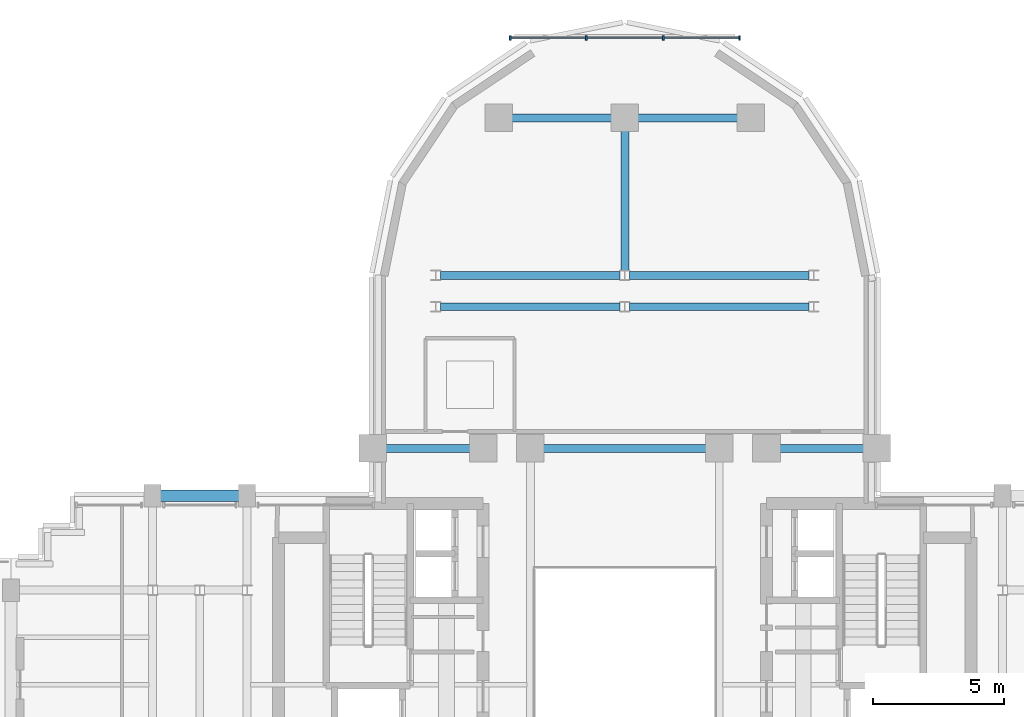
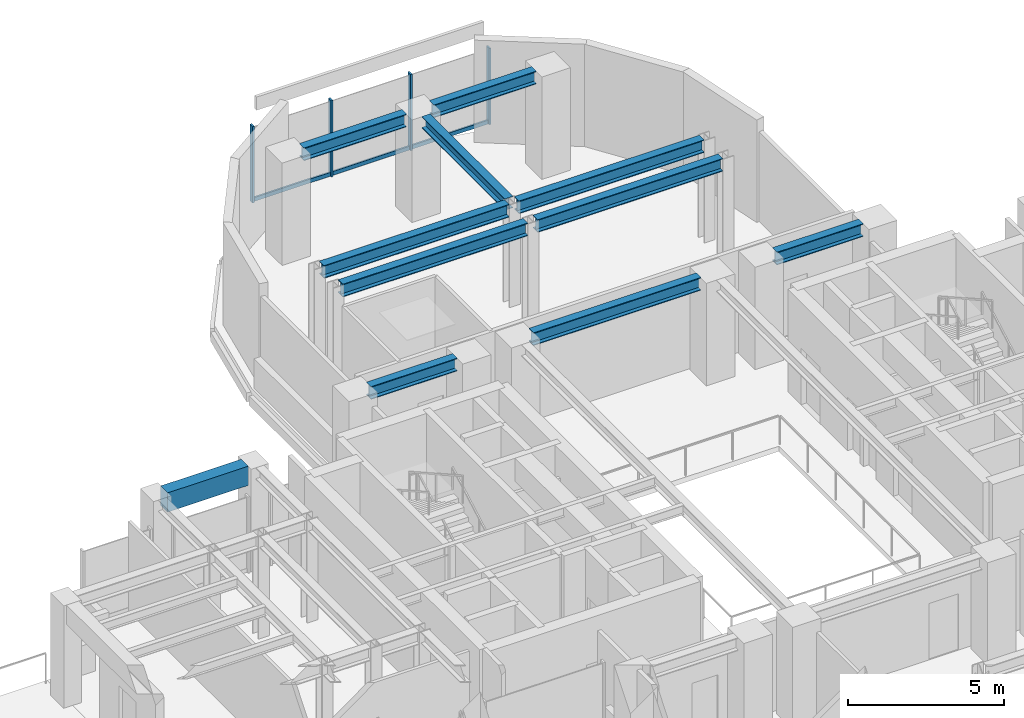
# One storey, part 6 of 16: 11 beams, 7 members, 1 element without a shape of its own.
"""IFC4 building model written with IfcOpenShell, lengths in metres."""

import ifcopenshell
import ifcopenshell.guid

model = None  # the IFC model being written
_history = None  # IfcOwnerHistory: only IFC2X3 demands one
_inside = {}  # id of a spatial element -> (the spatial element, [elements in it])
_under = {}  # id of a project, library or spatial element -> (it, [spatial elements below it])
_declared = {}  # id of a project -> (the project, [libraries it declares])
_typed = {}  # id of a type object -> (the type object, [elements of that type])
_made_of = {}  # id of a material, layer set ... -> (it, [elements and type objects made of it])


def new_model(schema):
    """Start an empty IFC model of exactly this schema.

    Asked for "IFC4X3", IfcOpenShell would pick the latest addendum, in which some entities
    have other attributes; the version numbers below select the first issue.
    IFC2X3 requires an IfcOwnerHistory on every rooted entity: one is made here for all.
    """
    global model, _history
    if schema == "IFC4X3":
        model = ifcopenshell.file(schema_version=(4, 3, 0, 0))
    else:
        model = ifcopenshell.file(schema=schema)
    _inside.clear()
    _under.clear()
    _declared.clear()
    _typed.clear()
    _made_of.clear()
    _history = None
    if model.schema == "IFC2X3":
        org = make("IfcOrganization", Name="unknown")
        user = make(
            "IfcPersonAndOrganization",
            ThePerson=make("IfcPerson", FamilyName="unknown"),
            TheOrganization=org,
        )
        app = make(
            "IfcApplication",
            ApplicationDeveloper=org,
            Version="unknown",
            ApplicationFullName="unknown",
            ApplicationIdentifier="unknown",
        )
        _history = make(
            "IfcOwnerHistory",
            OwningUser=user,
            OwningApplication=app,
            ChangeAction="ADDED",
            CreationDate=0,
        )
    return model


def make(cls, **values):
    """One entity of the class cls with the attributes given. An attribute that is None is left unset."""
    return model.create_entity(
        cls, **{name: value for name, value in values.items() if value is not None}
    )


def rooted(cls, **values):
    """An entity with a GlobalId (a new one), such as an element, a storey or a relation."""
    return make(cls, GlobalId=ifcopenshell.guid.new(), OwnerHistory=_history, **values)


def si_unit(unit_type, name, prefix=None):
    """IfcSIUnit, for example si_unit("LENGTHUNIT", "METRE", prefix="MILLI")."""
    return make("IfcSIUnit", UnitType=unit_type, Prefix=prefix, Name=name)


def assignment(units):
    """IfcUnitAssignment: the units of a project."""
    return None if units is None else make("IfcUnitAssignment", Units=units)


def point(xyz):
    """IfcCartesianPoint."""
    return None if xyz is None else make("IfcCartesianPoint", Coordinates=xyz)


def direction(xyz):
    """IfcDirection."""
    return None if xyz is None else make("IfcDirection", DirectionRatios=xyz)


def frame(location, z_axis=None, x_axis=None):
    """IfcAxis2Placement3D, a coordinate frame: its origin and axes. An axis left out is left unset."""
    return make(
        "IfcAxis2Placement3D",
        Location=point(location),
        Axis=direction(z_axis),
        RefDirection=direction(x_axis),
    )


def frame_2d(location, x_axis=None):
    """IfcAxis2Placement2D, a coordinate frame in the plane: its origin and x axis."""
    return make(
        "IfcAxis2Placement2D", Location=point(location), RefDirection=direction(x_axis)
    )


def origin():
    """The frame at (0, 0, 0) with its axes left unset."""
    return frame((0.0, 0.0, 0.0))


def origin_2d():
    """The frame at (0, 0) in the plane with its x axis left unset."""
    return frame_2d((0.0, 0.0))


def place(relative_to, where):
    """IfcLocalPlacement: puts the frame where relative to a parent placement (None: the world)."""
    return make(
        "IfcLocalPlacement", PlacementRelTo=relative_to, RelativePlacement=where
    )


def context(
    kind, dimensions, precision=None, world=None, true_north=None, identifier=None
):
    """IfcGeometricRepresentationContext, for example the 3D "Model" context."""
    return make(
        "IfcGeometricRepresentationContext",
        ContextIdentifier=identifier,
        ContextType=kind,
        CoordinateSpaceDimension=dimensions,
        Precision=precision,
        WorldCoordinateSystem=world,
        TrueNorth=true_north,
    )


def subcontext(parent, identifier, kind, view, scale=None):
    """IfcGeometricRepresentationSubContext, for example "Body" below "Model"."""
    return make(
        "IfcGeometricRepresentationSubContext",
        ContextIdentifier=identifier,
        ContextType=kind,
        ParentContext=parent,
        TargetScale=scale,
        TargetView=view,
    )


def project(units=None, contexts=None):
    """IfcProject with its units and contexts."""
    return rooted(
        "IfcProject",
        Name="project",
        RepresentationContexts=contexts,
        UnitsInContext=assignment(units),
    )


def spatial(cls, under=None, at=None, **own):
    """A site, building, storey or space (cls), placed at a placement, below another one or the project."""
    s = rooted(cls, ObjectPlacement=at, **own)
    if under is not None:
        _under.setdefault(under.id(), (under, []))[1].append(s)
    return s


def profile(cls, at=None, kind="AREA", **sizes):
    """A parametric profile (cls). Its sizes go by their IFC names, for example OverallWidth=200.0."""
    return make(cls, ProfileType=kind, Position=at, **sizes)


def rectangle(**sizes):
    """IfcRectangleProfileDef."""
    return profile("IfcRectangleProfileDef", **sizes)


def i_section(**sizes):
    """IfcIShapeProfileDef."""
    return profile("IfcIShapeProfileDef", **sizes)


def extrude(swept, where, along, depth):
    """IfcExtrudedAreaSolid: the profile swept, set in the frame where, extruded along a direction by depth."""
    return make(
        "IfcExtrudedAreaSolid",
        SweptArea=swept,
        Position=where,
        ExtrudedDirection=direction(along),
        Depth=depth,
    )


def shape(context_of_items, identifier, shape_type, items):
    """IfcShapeRepresentation: the items that make up one representation, for example the "Body"."""
    return make(
        "IfcShapeRepresentation",
        ContextOfItems=context_of_items,
        RepresentationIdentifier=identifier,
        RepresentationType=shape_type,
        Items=items,
    )


def source(mapping_origin, context_of_items, identifier, shape_type, items):
    """IfcRepresentationMap: a shape defined once, which mapped items show again and again."""
    return make(
        "IfcRepresentationMap",
        MappingOrigin=mapping_origin,
        MappedRepresentation=shape(context_of_items, identifier, shape_type, items),
    )


def transform(
    local_origin,
    x_axis=None,
    y_axis=None,
    z_axis=None,
    scale=None,
    scale2=None,
    scale3=None,
    uniform=True,
):
    """IfcCartesianTransformationOperator3D, or its non-uniform kind. x_axis, y_axis, z_axis: its Axis1, 2, 3."""
    if uniform:
        return make(
            "IfcCartesianTransformationOperator3D",
            Axis1=direction(x_axis),
            Axis2=direction(y_axis),
            LocalOrigin=point(local_origin),
            Scale=scale,
            Axis3=direction(z_axis),
        )
    return make(
        "IfcCartesianTransformationOperator3DnonUniform",
        Axis1=direction(x_axis),
        Axis2=direction(y_axis),
        LocalOrigin=point(local_origin),
        Scale=scale,
        Axis3=direction(z_axis),
        Scale2=scale2,
        Scale3=scale3,
    )


def mapped(mapping_source, mapping_target):
    """IfcMappedItem: shows the shape of a source again, moved by a transform."""
    return make(
        "IfcMappedItem", MappingSource=mapping_source, MappingTarget=mapping_target
    )


def material(Name=None, Category=None):
    """IfcMaterial."""
    return make("IfcMaterial", Name=Name, Category=Category)


def material_profile(
    of_material, cross_section, Name=None, Category=None, Priority=None
):
    """IfcMaterialProfile: a cross section and its material."""
    return make(
        "IfcMaterialProfile",
        Name=Name,
        Material=of_material,
        Profile=cross_section,
        Priority=Priority,
        Category=Category,
    )


def profile_set(profiles, Name=None, composite=None):
    """IfcMaterialProfileSet."""
    return make(
        "IfcMaterialProfileSet",
        Name=Name,
        MaterialProfiles=profiles,
        CompositeProfile=composite,
    )


def made_of(thing, what):
    """Note that an element or type object is made of a material, layer set ...; save() writes the relation."""
    if what is not None:
        _made_of.setdefault(what.id(), (what, []))[1].append(thing)
    return thing


def type_object(cls, material=None, **own):
    """A type object (cls), such as IfcWallType, which elements share."""
    return made_of(rooted(cls, **own), material)


def element(
    cls,
    number,
    at=None,
    inside=None,
    cuts=None,
    type_object=None,
    material=None,
    context=None,
    identifier="Body",
    shape_type=None,
    held_by="IfcProductDefinitionShape",
    body=None,
    shapes=None,
    **own,
):
    """One element of the class cls, such as IfcWall. Its Tag is "e" and its number.

    at: its placement. inside: the storey or other place that contains it. cuts: it is an
    opening in that element (IfcRelVoidsElement). A single representation is given by context,
    identifier, shape_type and body (its items); several are given by shapes. held_by: the class
    of the entity that holds the representations. save() writes the other relations.
    """
    e = rooted(cls, Tag="e%d" % number, ObjectPlacement=at, **own)
    if body is not None:
        shapes = [shape(context, identifier, shape_type, body)]
    if shapes is not None:
        e.Representation = make(held_by, Representations=shapes)
    if inside is not None:
        _inside.setdefault(inside.id(), (inside, []))[1].append(e)
    if cuts is not None:
        rooted(
            "IfcRelVoidsElement", RelatingBuildingElement=cuts, RelatedOpeningElement=e
        )
    if type_object is not None:
        _typed.setdefault(type_object.id(), (type_object, []))[1].append(e)
    return made_of(e, material)


def aggregate(whole, parts):
    """IfcRelAggregates: a whole, such as a stair, and the parts it consists of."""
    return rooted("IfcRelAggregates", RelatingObject=whole, RelatedObjects=parts)


def save(model, path):
    """Write the relations noted so far, then the file.

    IfcRelAggregates (storeys below a building ...), IfcRelContainedInSpatialStructure (elements
    in a storey), IfcRelDefinesByType, IfcRelAssociatesMaterial and IfcRelDeclares: one each for
    every whole, place, type object, material and project.
    """
    for whole, parts in _under.values():
        aggregate(whole, parts)
    for where, things in _inside.values():
        rooted(
            "IfcRelContainedInSpatialStructure",
            RelatedElements=things,
            RelatingStructure=where,
        )
    for kind, things in _typed.values():
        rooted("IfcRelDefinesByType", RelatedObjects=things, RelatingType=kind)
    for what, things in _made_of.values():
        rooted("IfcRelAssociatesMaterial", RelatedObjects=things, RelatingMaterial=what)
    for by, libraries in _declared.values():
        rooted("IfcRelDeclares", RelatingContext=by, RelatedDefinitions=libraries)
    model.write(path)


model = new_model("IFC4")

# Units and contexts
model_context = context("Model", 3, precision=1e-05, world=origin(), true_north=direction((0.0, 1.0)))
body_context = subcontext(model_context, "Body", "Model", "MODEL_VIEW")
ifc_project = project(units=[si_unit("LENGTHUNIT", "METRE"), si_unit("AREAUNIT", "SQUARE_METRE"), si_unit("VOLUMEUNIT", "CUBIC_METRE"), si_unit("PLANEANGLEUNIT", "RADIAN"), si_unit("MASSUNIT", "GRAM", prefix="KILO")], contexts=[model_context])

# Site, building, storey
site_placement = place(None, origin())
site = spatial("IfcSite", under=ifc_project, at=site_placement, CompositionType="ELEMENT")
building_placement = place(site_placement, origin())
building = spatial("IfcBuilding", under=site, at=building_placement, Name="Keilestroom Media Tower", CompositionType="ELEMENT")
storey_placement = place(building_placement, frame((0.0, 0.0, 93.0)))
storey = spatial("IfcBuildingStorey", under=building, at=storey_placement, Name="L24", CompositionType="ELEMENT", Elevation=93.0)

# Beams
ifc_material_1 = material(Name="Steel S355", Category="steel")
ifc_material_profile_1 = material_profile(ifc_material_1, i_section(OverallWidth=0.300048828125, OverallDepth=0.5, WebThickness=0.012451171875, FlangeThickness=0.028076171875, at=origin_2d()), Name="HEB 500")
ifc_profile_set_1 = profile_set([ifc_material_profile_1], Name="Steel S355")
beam_type_1 = type_object("IfcBeamType", Name="Primary-Structural-Girder-HEB-500", PredefinedType="BEAM", material=ifc_profile_set_1)
shared_shape_1 = source(origin(), body_context, "Body", "SweptSolid", [
    extrude(i_section(OverallWidth=0.300048828125, OverallDepth=0.5, WebThickness=0.012451171875, FlangeThickness=0.028076171875, at=origin_2d()), origin(), (0.0, 0.0, 1.0), 3.7900390625),
])
for number, where, z_axis, x_axis, name in (
    (1, (-4.294921875, 21.60009765625, 3.75), (1.0, 0.0, 0.0), (0.0, 1.0, 0.0), "L24 Beam BG-6 BM-L24-EW-037"),
    (2, (0.5048828125, 21.60009765625, 3.75), (1.0, 0.0, 0.0), (0.0, 1.0, 0.0), "L24 Beam BG-6 BM-L24-EW-038"),
):
    element("IfcBeam", number, at=place(storey_placement, frame(where, z_axis=z_axis, x_axis=x_axis)), inside=storey, type_object=beam_type_1, Name=name, PredefinedType="BEAM", context=body_context, shape_type="MappedRepresentation", body=[
        mapped(shared_shape_1, transform((0.0, 0.0, 0.0), x_axis=(1.0, 0.0, 0.0), y_axis=(0.0, 1.0, 0.0), z_axis=(0.0, 0.0, 1.0), scale=1.0)),
    ])
shared_shape_2 = source(origin(), body_context, "Body", "SweptSolid", [
    extrude(i_section(OverallWidth=0.300048828125, OverallDepth=0.5, WebThickness=0.012451171875, FlangeThickness=0.028076171875, at=origin_2d()), origin(), (0.0, 0.0, 1.0), 6.839111328125),
])
for number, where, z_axis, x_axis, name in (
    (3, (-7.01953125, 14.39990234375, 3.75), (1.0, 0.0, 0.0), (0.0, 1.0, 0.0), "L24 Beam BG-6 BM-L24-EW-033"),
    (4, (0.180419921875, 14.39990234375, 3.75), (1.0, 0.0, 0.0), (0.0, 1.0, 0.0), "L24 Beam BG-6 BM-L24-EW-034"),
    (5, (-7.01953125, 15.60009765625, 3.75), (1.0, 0.0, 0.0), (0.0, 1.0, 0.0), "L24 Beam BG-6 BM-L24-EW-035"),
    (6, (0.180419921875, 15.60009765625, 3.75), (1.0, 0.0, 0.0), (0.0, 1.0, 0.0), "L24 Beam BG-6 BM-L24-EW-036"),
):
    element("IfcBeam", number, at=place(storey_placement, frame(where, z_axis=z_axis, x_axis=x_axis)), inside=storey, type_object=beam_type_1, Name=name, PredefinedType="BEAM", context=body_context, shape_type="MappedRepresentation", body=[
        mapped(shared_shape_2, transform((0.0, 0.0, 0.0), x_axis=(1.0, 0.0, 0.0), y_axis=(0.0, 1.0, 0.0), z_axis=(0.0, 0.0, 1.0), scale=1.0)),
    ])
shared_shape_3 = source(origin(), body_context, "Body", "SweptSolid", [
    extrude(i_section(OverallWidth=0.300048828125, OverallDepth=0.5, WebThickness=0.012451171875, FlangeThickness=0.028076171875, at=origin_2d()), origin(), (0.0, 0.0, 1.0), 3.18994140625),
])
for number, where, z_axis, x_axis, name in (
    (7, (-9.094970703125, 9.0, 3.75), (1.0, 0.0, 0.0), (0.0, 1.0, 0.0), "L24 Beam BG-6 BM-L24-EW-028"),
    (8, (5.905029296875, 9.0, 3.75), (1.0, 0.0, 0.0), (0.0, 1.0, 0.0), "L24 Beam BG-6 BM-L24-EW-032"),
):
    element("IfcBeam", number, at=place(storey_placement, frame(where, z_axis=z_axis, x_axis=x_axis)), inside=storey, type_object=beam_type_1, Name=name, PredefinedType="BEAM", context=body_context, shape_type="MappedRepresentation", body=[
        mapped(shared_shape_3, transform((0.0, 0.0, 0.0), x_axis=(1.0, 0.0, 0.0), y_axis=(0.0, 1.0, 0.0), z_axis=(0.0, 0.0, 1.0), scale=1.0)),
    ])
shared_shape_4 = source(origin(), body_context, "Body", "SweptSolid", [
    extrude(i_section(OverallWidth=0.300048828125, OverallDepth=0.5, WebThickness=0.012451171875, FlangeThickness=0.028076171875, at=origin_2d()), origin(), (0.0, 0.0, 1.0), 6.18994140625),
])
beam_1_placement = place(storey_placement, frame((-3.094970703125, 9.0, 3.75), z_axis=(1.0, 0.0, 0.0), x_axis=(0.0, 1.0, 0.0)))
element("IfcBeam", 9, at=beam_1_placement, inside=storey, type_object=beam_type_1, Name="L24 Beam BG-6 BM-L24-EW-030", PredefinedType="BEAM", context=body_context, shape_type="MappedRepresentation", body=[
    mapped(shared_shape_4, transform((0.0, 0.0, 0.0), x_axis=(1.0, 0.0, 0.0), y_axis=(0.0, 1.0, 0.0), z_axis=(0.0, 0.0, 1.0), scale=1.0)),
])
ifc_material_2 = material(Name="Precast concrete C40/50", Category="concrete")
ifc_material_profile_2 = material_profile(ifc_material_2, rectangle(XDim=0.449951171875, YDim=0.75, at=origin_2d()), Name="PC 450x750")
ifc_profile_set_2 = profile_set([ifc_material_profile_2], Name="Precast concrete C40/50")
beam_type_2 = type_object("IfcBeamType", Name="Perimeter-Spandrel-Beam-PC-450x750", PredefinedType="SPANDREL", material=ifc_profile_set_2)
shared_shape_5 = source(origin(), body_context, "Body", "SweptSolid", [
    extrude(rectangle(XDim=0.449951171875, YDim=0.75, at=origin_2d()), origin(), (0.0, 0.0, 1.0), 2.989990234375),
])
beam_2_placement = place(storey_placement, frame((-17.695068359375, 7.199951171875, 3.625), z_axis=(1.0, 0.0, 0.0), x_axis=(0.0, 1.0, 0.0)))
element("IfcBeam", 10, at=beam_2_placement, inside=storey, type_object=beam_type_2, Name="L24 Beam SPB-1 BM-L24-EW-026", PredefinedType="SPANDREL", context=body_context, shape_type="MappedRepresentation", body=[
    mapped(shared_shape_5, transform((0.0, 0.0, 0.0), x_axis=(1.0, 0.0, 0.0), y_axis=(0.0, 1.0, 0.0), z_axis=(0.0, 0.0, 1.0), scale=1.0)),
])
ifc_material_profile_3 = material_profile(ifc_material_1, i_section(OverallWidth=0.300048828125, OverallDepth=0.449951171875, WebThickness=0.011962890625, FlangeThickness=0.02587890625, at=origin_2d()), Name="HEB 450")
ifc_profile_set_3 = profile_set([ifc_material_profile_3], Name="Steel S355")
beam_type_3 = type_object("IfcBeamType", Name="Primary-Structural-Girder-HEB-450", PredefinedType="BEAM", material=ifc_profile_set_3)
shared_shape_6 = source(origin(), body_context, "Body", "SweptSolid", [
    extrude(i_section(OverallWidth=0.300048828125, OverallDepth=0.449951171875, WebThickness=0.011962890625, FlangeThickness=0.02587890625, at=origin_2d()), origin(), (0.0, 0.0, 1.0), 5.3154296875),
])
beam_3_placement = place(storey_placement, frame((0.0, 15.779541015625, 3.77490234375), z_axis=(0.0, 1.0, 0.0), x_axis=(-1.0, 0.0, 0.0)))
element("IfcBeam", 11, at=beam_3_placement, inside=storey, type_object=beam_type_3, Name="L24 Beam BG-7 BM-L24-NS-055", PredefinedType="BEAM", context=body_context, shape_type="MappedRepresentation", body=[
    mapped(shared_shape_6, transform((0.0, 0.0, 0.0), x_axis=(1.0, 0.0, 0.0), y_axis=(0.0, 1.0, 0.0), z_axis=(0.0, 0.0, 1.0), scale=1.0)),
])

# Curtain wall, members
ifc_material_3 = material(Name="Anodised Aluminium Alloy", Category="aluminium")
curtain_wall_type = type_object("IfcCurtainWallType", Name="Unitised-Curtain-Wall-CW-6", PredefinedType="NOTDEFINED", material=ifc_material_3)
curtain_wall_placement = place(storey_placement, origin())
curtain_wall = element("IfcCurtainWall", 12, at=curtain_wall_placement, inside=storey, type_object=curtain_wall_type, Name="L24 Curtain Wall CW-6 CW-L24-LN-1", PredefinedType="NOTDEFINED")
ifc_material_profile_4 = material_profile(ifc_material_3, rectangle(XDim=0.06494140625, YDim=0.179931640625, at=origin_2d()), Name="ALU MULLION 65x180")
ifc_profile_set_4 = profile_set([ifc_material_profile_4], Name="Anodised Aluminium Alloy")
member_type_1 = type_object("IfcMemberType", Name="Curtain-Wall-Mullion-CW-6", PredefinedType="MULLION", material=ifc_profile_set_4)
shared_shape_7 = source(origin(), body_context, "Body", "SweptSolid", [
    extrude(rectangle(XDim=0.06494140625, YDim=0.179931640625, at=origin_2d()), origin(), (0.0, 0.0, 1.0), 2.97998046875),
])
member_1_placement = place(storey_placement, frame((-4.367431640625, 24.64990234375, 0.0), z_axis=(0.0, 0.0, 1.0), x_axis=(1.0, 0.0, 0.0)))
member_1 = element("IfcMember", 13, at=member_1_placement, type_object=member_type_1, Name="CW-6 Mullion 00", PredefinedType="MULLION", context=body_context, shape_type="MappedRepresentation", body=[
    mapped(shared_shape_7, transform((0.0, 0.0, 0.0), x_axis=(1.0, 0.0, 0.0), y_axis=(0.0, 1.0, 0.0), z_axis=(0.0, 0.0, 1.0), scale=1.0)),
])
member_2_placement = place(storey_placement, frame((-1.466796875, 24.64990234375, 0.0), z_axis=(0.0, 0.0, 1.0), x_axis=(1.0, 0.0, 0.0)))
member_2 = element("IfcMember", 14, at=member_2_placement, type_object=member_type_1, Name="CW-6 Mullion 01", PredefinedType="MULLION", context=body_context, shape_type="MappedRepresentation", body=[
    mapped(shared_shape_7, transform((0.0, 0.0, 0.0), x_axis=(1.0, 0.0, 0.0), y_axis=(0.0, 1.0, 0.0), z_axis=(0.0, 0.0, 1.0), scale=1.0)),
])
member_3_placement = place(storey_placement, frame((1.466796875, 24.64990234375, 0.0), z_axis=(0.0, 0.0, 1.0), x_axis=(1.0, 0.0, 0.0)))
member_3 = element("IfcMember", 15, at=member_3_placement, type_object=member_type_1, Name="CW-6 Mullion 02", PredefinedType="MULLION", context=body_context, shape_type="MappedRepresentation", body=[
    mapped(shared_shape_7, transform((0.0, 0.0, 0.0), x_axis=(1.0, 0.0, 0.0), y_axis=(0.0, 1.0, 0.0), z_axis=(0.0, 0.0, 1.0), scale=1.0)),
])
member_4_placement = place(storey_placement, frame((4.367431640625, 24.64990234375, 0.0), z_axis=(0.0, 0.0, 1.0), x_axis=(1.0, 0.0, 0.0)))
member_4 = element("IfcMember", 16, at=member_4_placement, type_object=member_type_1, Name="CW-6 Mullion 03", PredefinedType="MULLION", context=body_context, shape_type="MappedRepresentation", body=[
    mapped(shared_shape_7, transform((0.0, 0.0, 0.0), x_axis=(1.0, 0.0, 0.0), y_axis=(0.0, 1.0, 0.0), z_axis=(0.0, 0.0, 1.0), scale=1.0)),
])
ifc_material_profile_5 = material_profile(ifc_material_3, rectangle(XDim=0.06494140625, YDim=0.14990234375, at=origin_2d()), Name="ALU TRANSOM 65x150")
ifc_profile_set_5 = profile_set([ifc_material_profile_5], Name="Anodised Aluminium Alloy")
member_type_2 = type_object("IfcMemberType", Name="Curtain-Wall-Transom-CW-6", PredefinedType="USERDEFINED", material=ifc_profile_set_5)
shared_shape_8 = source(origin(), body_context, "Body", "SweptSolid", [
    extrude(rectangle(XDim=0.06494140625, YDim=0.14990234375, at=origin_2d()), origin(), (0.0, 0.0, 1.0), 2.839599609375),
])
member_5_placement = place(storey_placement, frame((-4.3369140625, 24.64990234375, 0.074951171875), z_axis=(1.0, 0.0, 0.0), x_axis=(0.0, 1.0, 0.0)))
member_5 = element("IfcMember", 17, at=member_5_placement, type_object=member_type_2, Name="CW-6 Transom 00.1", ObjectType="TRANSOM", PredefinedType="USERDEFINED", context=body_context, shape_type="MappedRepresentation", body=[
    mapped(shared_shape_8, transform((0.0, 0.0, 0.0), x_axis=(1.0, 0.0, 0.0), y_axis=(0.0, 1.0, 0.0), z_axis=(0.0, 0.0, 1.0), scale=1.0)),
])
member_6_placement = place(storey_placement, frame((1.497314453125, 24.64990234375, 0.074951171875), z_axis=(1.0, 0.0, 0.0), x_axis=(0.0, 1.0, 0.0)))
member_6 = element("IfcMember", 18, at=member_6_placement, type_object=member_type_2, Name="CW-6 Transom 02.1", ObjectType="TRANSOM", PredefinedType="USERDEFINED", context=body_context, shape_type="MappedRepresentation", body=[
    mapped(shared_shape_8, transform((0.0, 0.0, 0.0), x_axis=(1.0, 0.0, 0.0), y_axis=(0.0, 1.0, 0.0), z_axis=(0.0, 0.0, 1.0), scale=1.0)),
])
shared_shape_9 = source(origin(), body_context, "Body", "SweptSolid", [
    extrude(rectangle(XDim=0.06494140625, YDim=0.14990234375, at=origin_2d()), origin(), (0.0, 0.0, 1.0), 2.87255859375),
])
member_7_placement = place(storey_placement, frame((-1.436279296875, 24.64990234375, 0.074951171875), z_axis=(1.0, 0.0, 0.0), x_axis=(0.0, 1.0, 0.0)))
member_7 = element("IfcMember", 19, at=member_7_placement, type_object=member_type_2, Name="CW-6 Transom 01.1", ObjectType="TRANSOM", PredefinedType="USERDEFINED", context=body_context, shape_type="MappedRepresentation", body=[
    mapped(shared_shape_9, transform((0.0, 0.0, 0.0), x_axis=(1.0, 0.0, 0.0), y_axis=(0.0, 1.0, 0.0), z_axis=(0.0, 0.0, 1.0), scale=1.0)),
])
aggregate(curtain_wall, [member_1, member_2, member_3, member_4, member_5, member_7, member_6])

save(model, "model.ifc")
